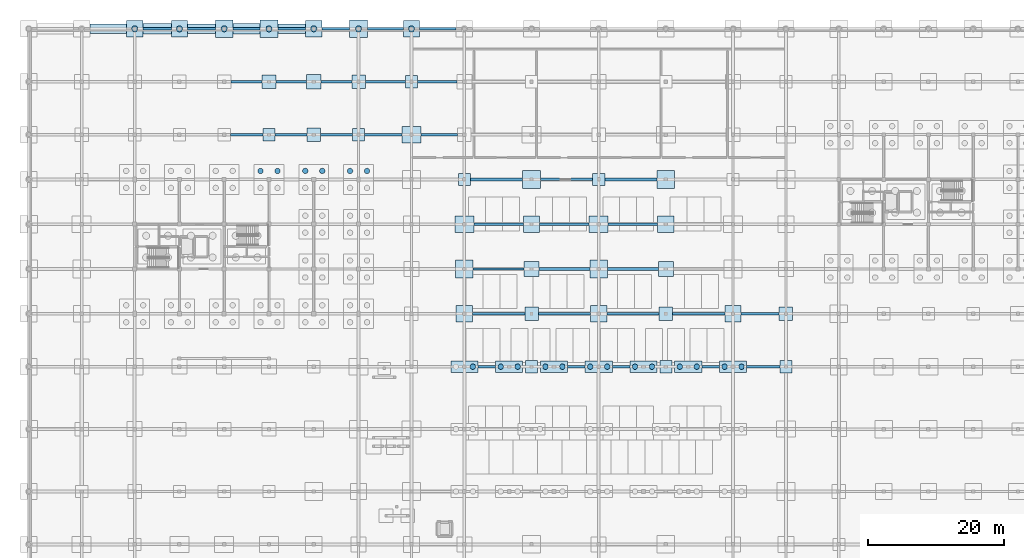
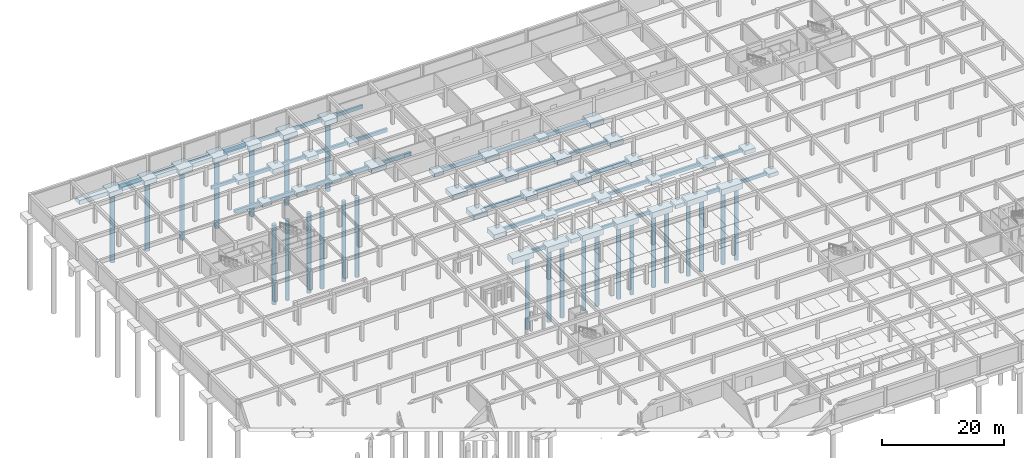
# One storey, part 6 of 37: 84 footings, 26 piles.
"""IFC4 building model written with IfcOpenShell, lengths in metres."""

from ifc_helpers import new_model, si_unit, direction, frame, origin, origin_2d, place, context, subcontext, project, spatial, rectangle, circle, extrude, material, material_profile, profile_set, type_object, element, save


model = new_model("IFC4")

# Units and contexts
model_context = context("Model", 3, precision=1e-05, world=origin(), true_north=direction((0.0, 1.0)))
body_context = subcontext(model_context, "Body", "Model", "MODEL_VIEW")
ifc_project = project(units=[si_unit("LENGTHUNIT", "METRE"), si_unit("AREAUNIT", "SQUARE_METRE"), si_unit("VOLUMEUNIT", "CUBIC_METRE"), si_unit("PLANEANGLEUNIT", "RADIAN"), si_unit("MASSUNIT", "GRAM", prefix="KILO")], contexts=[model_context])

# Site, building, storey
site_placement = place(None, origin())
site = spatial("IfcSite", under=ifc_project, at=site_placement, CompositionType="ELEMENT")
building_placement = place(site_placement, origin())
building = spatial("IfcBuilding", under=site, at=building_placement, Name="Kernevlak Ridge Housing Community", CompositionType="ELEMENT")
storey_placement = place(building_placement, frame((0.0, 0.0, -3.800048828125)))
storey = spatial("IfcBuildingStorey", under=building, at=storey_placement, Name="B1", CompositionType="ELEMENT", Elevation=-3.800048828125)

# Piles
ifc_material = material(Name="Concrete C35/45", Category="concrete")
ifc_material_profile_1 = material_profile(ifc_material, circle(Radius=0.39990234375, at=origin_2d()), Name="BORED PILE 800")
ifc_profile_set_1 = profile_set([ifc_material_profile_1], Name="Concrete C35/45")
pile_type_1 = type_object("IfcPileType", Name="BP-01", PredefinedType="BORED", material=ifc_profile_set_1)
for number, where, z_axis, x_axis, name in (
    (1, (34.14990234375, 97.050048828125, -1.599853515625), (0.0, 0.0, -1.0), (1.0, 0.0, 0.0), "Bored pile BP-01 PILE-0121"),
    (2, (36.64990234375, 97.050048828125, -1.599853515625), (0.0, 0.0, -1.0), (1.0, 0.0, 0.0), "Bored pile BP-01 PILE-0122"),
    (3, (40.75, 97.050048828125, -1.599853515625), (0.0, 0.0, -1.0), (1.0, 0.0, 0.0), "Bored pile BP-01 PILE-0147"),
    (4, (43.25, 97.050048828125, -1.599853515625), (0.0, 0.0, -1.0), (1.0, 0.0, 0.0), "Bored pile BP-01 PILE-0148"),
    (5, (47.35009765625, 97.050048828125, -1.599853515625), (0.0, 0.0, -1.0), (1.0, 0.0, 0.0), "Bored pile BP-01 PILE-0165"),
    (6, (49.85009765625, 97.050048828125, -1.599853515625), (0.0, 0.0, -1.0), (1.0, 0.0, 0.0), "Bored pile BP-01 PILE-0166"),
):
    element("IfcPile", number, at=place(storey_placement, frame(where, z_axis=z_axis, x_axis=x_axis)), inside=storey, type_object=pile_type_1, Name=name, PredefinedType="BORED", context=body_context, shape_type="SweptSolid", body=[
        extrude(circle(Radius=0.39990234375, at=origin_2d()), origin(), (0.0, 0.0, 1.0), 16.0),
    ])
for number, where, z_axis, x_axis, name in (
    (7, (65.449951171875, 68.199951171875, -1.5), (0.0, 0.0, -1.0), (1.0, 0.0, 0.0), "Bored pile BP-01 PILE-0176"),
    (8, (69.550048828125, 68.199951171875, -1.5), (0.0, 0.0, -1.0), (1.0, 0.0, 0.0), "Bored pile BP-01 PILE-0180"),
    (9, (72.050048828125, 68.199951171875, -1.5), (0.0, 0.0, -1.0), (1.0, 0.0, 0.0), "Bored pile BP-01 PILE-0181"),
    (10, (76.14990234375, 68.199951171875, -1.5), (0.0, 0.0, -1.0), (1.0, 0.0, 0.0), "Bored pile BP-01 PILE-0188"),
    (11, (78.64990234375, 68.199951171875, -1.5), (0.0, 0.0, -1.0), (1.0, 0.0, 0.0), "Bored pile BP-01 PILE-0189"),
    (12, (82.75, 68.199951171875, -1.5), (0.0, 0.0, -1.0), (1.0, 0.0, 0.0), "Bored pile BP-01 PILE-0195"),
    (13, (85.25, 68.199951171875, -1.5), (0.0, 0.0, -1.0), (1.0, 0.0, 0.0), "Bored pile BP-01 PILE-0196"),
    (14, (89.35009765625, 68.199951171875, -1.5), (0.0, 0.0, -1.0), (1.0, 0.0, 0.0), "Bored pile BP-01 PILE-0200"),
    (15, (91.85009765625, 68.199951171875, -1.5), (0.0, 0.0, -1.0), (1.0, 0.0, 0.0), "Bored pile BP-01 PILE-0201"),
    (16, (95.949951171875, 68.199951171875, -1.5), (0.0, 0.0, -1.0), (1.0, 0.0, 0.0), "Bored pile BP-01 PILE-0208"),
    (17, (98.449951171875, 68.199951171875, -1.5), (0.0, 0.0, -1.0), (1.0, 0.0, 0.0), "Bored pile BP-01 PILE-0209"),
    (18, (102.550048828125, 68.199951171875, -1.5), (0.0, 0.0, -1.0), (1.0, 0.0, 0.0), "Bored pile BP-01 PILE-0215"),
    (19, (105.050048828125, 68.199951171875, -1.5), (0.0, 0.0, -1.0), (1.0, 0.0, 0.0), "Bored pile BP-01 PILE-0216"),
):
    element("IfcPile", number, at=place(storey_placement, frame(where, z_axis=z_axis, x_axis=x_axis)), inside=storey, type_object=pile_type_1, Name=name, PredefinedType="BORED", context=body_context, shape_type="SweptSolid", body=[
        extrude(circle(Radius=0.39990234375, at=origin_2d()), origin(), (0.0, 0.0, 1.0), 14.5),
    ])
ifc_material_profile_2 = material_profile(ifc_material, circle(Radius=0.449951171875, at=origin_2d()), Name="BORED PILE 900")
ifc_profile_set_2 = profile_set([ifc_material_profile_2], Name="Concrete C35/45")
pile_type_2 = type_object("IfcPileType", Name="BP-02", PredefinedType="BORED", material=ifc_profile_set_2)
for number, where, z_axis, x_axis, name in (
    (20, (15.60009765625, 118.0, -1.349853515625), (0.0, 0.0, -1.0), (1.0, 0.0, 0.0), "Bored pile BP-02 PILE-0081"),
    (21, (22.199951171875, 118.0, -1.349853515625), (0.0, 0.0, -1.0), (1.0, 0.0, 0.0), "Bored pile BP-02 PILE-0095"),
    (22, (28.800048828125, 118.0, -1.39990234375), (0.0, 0.0, -1.0), (1.0, 0.0, 0.0), "Bored pile BP-02 PILE-0109"),
    (23, (35.39990234375, 118.0, -1.39990234375), (0.0, 0.0, -1.0), (1.0, 0.0, 0.0), "Bored pile BP-02 PILE-0123"),
    (24, (42.0, 118.0, -1.349853515625), (0.0, 0.0, -1.0), (1.0, 0.0, 0.0), "Bored pile BP-02 PILE-0149"),
    (25, (48.60009765625, 118.0, -1.39990234375), (0.0, 0.0, -1.0), (1.0, 0.0, 0.0), "Bored pile BP-02 PILE-0167"),
    (26, (56.39990234375, 118.0, -1.349853515625), (0.0, 0.0, -1.0), (1.0, 0.0, 0.0), "Bored pile BP-02 PILE-0169"),
):
    element("IfcPile", number, at=place(storey_placement, frame(where, z_axis=z_axis, x_axis=x_axis)), inside=storey, type_object=pile_type_2, Name=name, PredefinedType="BORED", context=body_context, shape_type="SweptSolid", body=[
        extrude(circle(Radius=0.449951171875, at=origin_2d()), origin(), (0.0, 0.0, 1.0), 14.0),
    ])

# Footings
ifc_material_profile_3 = material_profile(ifc_material, rectangle(XDim=0.39990234375, YDim=0.699951171875, at=origin_2d()), Name="RC 400x700")
ifc_profile_set_3 = profile_set([ifc_material_profile_3], Name="Concrete C35/45")
footing_type_1 = type_object("IfcFootingType", Name="FB-01", PredefinedType="FOOTING_BEAM", material=ifc_profile_set_3)
for number, where, z_axis, x_axis, name in (
    (27, (66.199951171875, 68.199951171875, -0.800048828125), (1.0, 0.0, 0.0), (0.0, 1.0, 0.0), "Ground tie beam FB-01 177"),
    (28, (99.199951171875, 68.199951171875, -0.800048828125), (1.0, 0.0, 0.0), (0.0, 1.0, 0.0), "Ground tie beam FB-01 180"),
):
    element("IfcFooting", number, at=place(storey_placement, frame(where, z_axis=z_axis, x_axis=x_axis)), inside=storey, type_object=footing_type_1, Name=name, PredefinedType="FOOTING_BEAM", context=body_context, shape_type="SweptSolid", body=[
        extrude(rectangle(XDim=0.39990234375, YDim=0.699951171875, at=origin_2d()), origin(), (0.0, 0.0, 1.0), 2.60009765625),
    ])
for number, where, z_axis, x_axis, name in (
    (29, (65.39990234375, 76.0, -0.800048828125), (1.0, 0.0, 0.0), (0.0, 1.0, 0.0), "Ground tie beam FB-01 198"),
    (30, (94.89990234375, 76.0, -0.800048828125), (1.0, 0.0, 0.0), (0.0, 1.0, 0.0), "Ground tie beam FB-01 201"),
):
    element("IfcFooting", number, at=place(storey_placement, frame(where, z_axis=z_axis, x_axis=x_axis)), inside=storey, type_object=footing_type_1, Name=name, PredefinedType="FOOTING_BEAM", context=body_context, shape_type="SweptSolid", body=[
        extrude(rectangle(XDim=0.39990234375, YDim=0.699951171875, at=origin_2d()), origin(), (0.0, 0.0, 1.0), 7.7001953125),
    ])
footing_1_placement = place(storey_placement, frame((85.300048828125, 82.60009765625, -0.800048828125), z_axis=(1.0, 0.0, 0.0), x_axis=(0.0, 1.0, 0.0)))
element("IfcFooting", 31, at=footing_1_placement, inside=storey, type_object=footing_type_1, Name="Ground tie beam FB-01 216", PredefinedType="FOOTING_BEAM", context=body_context, shape_type="SweptSolid", body=[
    extrude(rectangle(XDim=0.39990234375, YDim=0.699951171875, at=origin_2d()), origin(), (0.0, 0.0, 1.0), 7.5),
])
footing_2_placement = place(storey_placement, frame((75.300048828125, 89.199951171875, -0.800048828125), z_axis=(1.0, 0.0, 0.0), x_axis=(0.0, 1.0, 0.0)))
element("IfcFooting", 32, at=footing_2_placement, inside=storey, type_object=footing_type_1, Name="Ground tie beam FB-01 231", PredefinedType="FOOTING_BEAM", context=body_context, shape_type="SweptSolid", body=[
    extrude(rectangle(XDim=0.39990234375, YDim=0.699951171875, at=origin_2d()), origin(), (0.0, 0.0, 1.0), 7.300048828125),
])
footing_3_placement = place(storey_placement, frame((65.10009765625, 95.800048828125, -0.800048828125), z_axis=(1.0, 0.0, 0.0), x_axis=(0.0, 1.0, 0.0)))
element("IfcFooting", 33, at=footing_3_placement, inside=storey, type_object=footing_type_1, Name="Ground tie beam FB-01 246", PredefinedType="FOOTING_BEAM", context=body_context, shape_type="SweptSolid", body=[
    extrude(rectangle(XDim=0.39990234375, YDim=0.699951171875, at=origin_2d()), origin(), (0.0, 0.0, 1.0), 7.699951171875),
])
footing_4_placement = place(storey_placement, frame((36.300048828125, 102.39990234375, -0.800048828125), z_axis=(1.0, 0.0, 0.0), x_axis=(0.0, 1.0, 0.0)))
element("IfcFooting", 34, at=footing_4_placement, inside=storey, type_object=footing_type_1, Name="Ground tie beam FB-01 258", PredefinedType="FOOTING_BEAM", context=body_context, shape_type="SweptSolid", body=[
    extrude(rectangle(XDim=0.39990234375, YDim=0.699951171875, at=origin_2d()), origin(), (0.0, 0.0, 1.0), 4.699951171875),
])
footing_5_placement = place(storey_placement, frame((57.800048828125, 102.39990234375, -0.800048828125), z_axis=(1.0, 0.0, 0.0), x_axis=(0.0, 1.0, 0.0)))
element("IfcFooting", 35, at=footing_5_placement, inside=storey, type_object=footing_type_1, Name="Ground tie beam FB-01 261", PredefinedType="FOOTING_BEAM", context=body_context, shape_type="SweptSolid", body=[
    extrude(rectangle(XDim=0.39990234375, YDim=0.699951171875, at=origin_2d()), origin(), (0.0, 0.0, 1.0), 5.39990234375),
])
footing_6_placement = place(storey_placement, frame((36.39990234375, 110.199951171875, -0.800048828125), z_axis=(1.0, 0.0, 0.0), x_axis=(0.0, 1.0, 0.0)))
element("IfcFooting", 36, at=footing_6_placement, inside=storey, type_object=footing_type_1, Name="Ground tie beam FB-01 279", PredefinedType="FOOTING_BEAM", context=body_context, shape_type="SweptSolid", body=[
    extrude(rectangle(XDim=0.39990234375, YDim=0.699951171875, at=origin_2d()), origin(), (0.0, 0.0, 1.0), 4.5),
])
footing_7_placement = place(storey_placement, frame((57.300048828125, 110.199951171875, -0.800048828125), z_axis=(1.0, 0.0, 0.0), x_axis=(0.0, 1.0, 0.0)))
element("IfcFooting", 37, at=footing_7_placement, inside=storey, type_object=footing_type_1, Name="Ground tie beam FB-01 282", PredefinedType="FOOTING_BEAM", context=body_context, shape_type="SweptSolid", body=[
    extrude(rectangle(XDim=0.39990234375, YDim=0.699951171875, at=origin_2d()), origin(), (0.0, 0.0, 1.0), 5.800048828125),
])
footing_8_placement = place(storey_placement, frame((16.800048828125, 118.0, -0.800048828125), z_axis=(1.0, 0.0, 0.0), x_axis=(0.0, 1.0, 0.0)))
element("IfcFooting", 38, at=footing_8_placement, inside=storey, type_object=footing_type_1, Name="Ground tie beam FB-01 297", PredefinedType="FOOTING_BEAM", context=body_context, shape_type="SweptSolid", body=[
    extrude(rectangle(XDim=0.39990234375, YDim=0.699951171875, at=origin_2d()), origin(), (0.0, 0.0, 1.0), 4.199951171875),
])
footing_9_placement = place(storey_placement, frame((36.699951171875, 118.0, -0.800048828125), z_axis=(1.0, 0.0, 0.0), x_axis=(0.0, 1.0, 0.0)))
element("IfcFooting", 39, at=footing_9_placement, inside=storey, type_object=footing_type_1, Name="Ground tie beam FB-01 300", PredefinedType="FOOTING_BEAM", context=body_context, shape_type="SweptSolid", body=[
    extrude(rectangle(XDim=0.39990234375, YDim=0.699951171875, at=origin_2d()), origin(), (0.0, 0.0, 1.0), 4.10009765625),
])
footing_10_placement = place(storey_placement, frame((57.60009765625, 118.0, -0.800048828125), z_axis=(1.0, 0.0, 0.0), x_axis=(0.0, 1.0, 0.0)))
element("IfcFooting", 40, at=footing_10_placement, inside=storey, type_object=footing_type_1, Name="Ground tie beam FB-01 303", PredefinedType="FOOTING_BEAM", context=body_context, shape_type="SweptSolid", body=[
    extrude(rectangle(XDim=0.39990234375, YDim=0.699951171875, at=origin_2d()), origin(), (0.0, 0.0, 1.0), 5.39990234375),
])
ifc_material_profile_4 = material_profile(ifc_material, rectangle(XDim=0.35009765625, YDim=0.64990234375, at=origin_2d()), Name="RC 350x650")
ifc_profile_set_4 = profile_set([ifc_material_profile_4], Name="Concrete C35/45")
footing_type_2 = type_object("IfcFootingType", Name="FB-02", PredefinedType="FOOTING_BEAM", material=ifc_profile_set_4)
footing_11_placement = place(storey_placement, frame((79.39990234375, 68.199951171875, -0.77490234375), z_axis=(1.0, 0.0, 0.0), x_axis=(0.0, 1.0, 0.0)))
element("IfcFooting", 41, at=footing_11_placement, inside=storey, type_object=footing_type_2, Name="Ground tie beam FB-02 178", PredefinedType="FOOTING_BEAM", context=body_context, shape_type="SweptSolid", body=[
    extrude(rectangle(XDim=0.35009765625, YDim=0.64990234375, at=origin_2d()), origin(), (0.0, 0.0, 1.0), 2.60009765625),
])
footing_12_placement = place(storey_placement, frame((105.800048828125, 68.199951171875, -0.77490234375), z_axis=(1.0, 0.0, 0.0), x_axis=(0.0, 1.0, 0.0)))
element("IfcFooting", 42, at=footing_12_placement, inside=storey, type_object=footing_type_2, Name="Ground tie beam FB-02 181", PredefinedType="FOOTING_BEAM", context=body_context, shape_type="SweptSolid", body=[
    extrude(rectangle(XDim=0.35009765625, YDim=0.64990234375, at=origin_2d()), origin(), (0.0, 0.0, 1.0), 4.89990234375),
])
footing_13_placement = place(storey_placement, frame((75.10009765625, 76.0, -0.77490234375), z_axis=(1.0, 0.0, 0.0), x_axis=(0.0, 1.0, 0.0)))
element("IfcFooting", 43, at=footing_13_placement, inside=storey, type_object=footing_type_2, Name="Ground tie beam FB-02 199", PredefinedType="FOOTING_BEAM", context=body_context, shape_type="SweptSolid", body=[
    extrude(rectangle(XDim=0.35009765625, YDim=0.64990234375, at=origin_2d()), origin(), (0.0, 0.0, 1.0), 7.699951171875),
])
footing_14_placement = place(storey_placement, frame((105.0, 76.0, -0.77490234375), z_axis=(1.0, 0.0, 0.0), x_axis=(0.0, 1.0, 0.0)))
element("IfcFooting", 44, at=footing_14_placement, inside=storey, type_object=footing_type_2, Name="Ground tie beam FB-02 202", PredefinedType="FOOTING_BEAM", context=body_context, shape_type="SweptSolid", body=[
    extrude(rectangle(XDim=0.35009765625, YDim=0.64990234375, at=origin_2d()), origin(), (0.0, 0.0, 1.0), 5.60009765625),
])
footing_15_placement = place(storey_placement, frame((65.5, 82.60009765625, -0.77490234375), z_axis=(1.0, 0.0, 0.0), x_axis=(0.0, 1.0, 0.0)))
element("IfcFooting", 45, at=footing_15_placement, inside=storey, type_object=footing_type_2, Name="Ground tie beam FB-02 214", PredefinedType="FOOTING_BEAM", context=body_context, shape_type="SweptSolid", body=[
    extrude(rectangle(XDim=0.35009765625, YDim=0.64990234375, at=origin_2d()), origin(), (0.0, 0.0, 1.0), 7.5),
])
footing_16_placement = place(storey_placement, frame((85.39990234375, 89.199951171875, -0.77490234375), z_axis=(1.0, 0.0, 0.0), x_axis=(0.0, 1.0, 0.0)))
element("IfcFooting", 46, at=footing_16_placement, inside=storey, type_object=footing_type_2, Name="Ground tie beam FB-02 232", PredefinedType="FOOTING_BEAM", context=body_context, shape_type="SweptSolid", body=[
    extrude(rectangle(XDim=0.35009765625, YDim=0.64990234375, at=origin_2d()), origin(), (0.0, 0.0, 1.0), 7.300048828125),
])
footing_17_placement = place(storey_placement, frame((75.39990234375, 95.800048828125, -0.77490234375), z_axis=(1.0, 0.0, 0.0), x_axis=(0.0, 1.0, 0.0)))
element("IfcFooting", 47, at=footing_17_placement, inside=storey, type_object=footing_type_2, Name="Ground tie beam FB-02 247", PredefinedType="FOOTING_BEAM", context=body_context, shape_type="SweptSolid", body=[
    extrude(rectangle(XDim=0.35009765625, YDim=0.64990234375, at=origin_2d()), origin(), (0.0, 0.0, 1.0), 7.7001953125),
])
footing_18_placement = place(storey_placement, frame((43.0, 102.39990234375, -0.77490234375), z_axis=(1.0, 0.0, 0.0), x_axis=(0.0, 1.0, 0.0)))
element("IfcFooting", 48, at=footing_18_placement, inside=storey, type_object=footing_type_2, Name="Ground tie beam FB-02 259", PredefinedType="FOOTING_BEAM", context=body_context, shape_type="SweptSolid", body=[
    extrude(rectangle(XDim=0.35009765625, YDim=0.64990234375, at=origin_2d()), origin(), (0.0, 0.0, 1.0), 4.699951171875),
])
footing_19_placement = place(storey_placement, frame((43.10009765625, 110.199951171875, -0.77490234375), z_axis=(1.0, 0.0, 0.0), x_axis=(0.0, 1.0, 0.0)))
element("IfcFooting", 49, at=footing_19_placement, inside=storey, type_object=footing_type_2, Name="Ground tie beam FB-02 280", PredefinedType="FOOTING_BEAM", context=body_context, shape_type="SweptSolid", body=[
    extrude(rectangle(XDim=0.35009765625, YDim=0.64990234375, at=origin_2d()), origin(), (0.0, 0.0, 1.0), 4.5),
])
for number, where, z_axis, x_axis, name in (
    (50, (23.39990234375, 118.0, -0.77490234375), (1.0, 0.0, 0.0), (0.0, 1.0, 0.0), "Ground tie beam FB-02 298"),
    (51, (43.199951171875, 118.0, -0.77490234375), (1.0, 0.0, 0.0), (0.0, 1.0, 0.0), "Ground tie beam FB-02 301"),
):
    element("IfcFooting", number, at=place(storey_placement, frame(where, z_axis=z_axis, x_axis=x_axis)), inside=storey, type_object=footing_type_2, Name=name, PredefinedType="FOOTING_BEAM", context=body_context, shape_type="SweptSolid", body=[
        extrude(rectangle(XDim=0.35009765625, YDim=0.64990234375, at=origin_2d()), origin(), (0.0, 0.0, 1.0), 4.10009765625),
    ])
ifc_material_profile_5 = material_profile(ifc_material, rectangle(XDim=0.39990234375, YDim=0.64990234375, at=origin_2d()), Name="RC 400x650")
ifc_profile_set_5 = profile_set([ifc_material_profile_5], Name="Concrete C35/45")
footing_type_3 = type_object("IfcFootingType", Name="FB-03", PredefinedType="FOOTING_BEAM", material=ifc_profile_set_5)
footing_20_placement = place(storey_placement, frame((86.0, 68.199951171875, -0.77490234375), z_axis=(1.0, 0.0, 0.0), x_axis=(0.0, 1.0, 0.0)))
element("IfcFooting", 52, at=footing_20_placement, inside=storey, type_object=footing_type_3, Name="Ground tie beam FB-03 179", PredefinedType="FOOTING_BEAM", context=body_context, shape_type="SweptSolid", body=[
    extrude(rectangle(XDim=0.39990234375, YDim=0.64990234375, at=origin_2d()), origin(), (0.0, 0.0, 1.0), 2.60009765625),
])
footing_21_placement = place(storey_placement, frame((85.199951171875, 76.0, -0.77490234375), z_axis=(1.0, 0.0, 0.0), x_axis=(0.0, 1.0, 0.0)))
element("IfcFooting", 53, at=footing_21_placement, inside=storey, type_object=footing_type_3, Name="Ground tie beam FB-03 200", PredefinedType="FOOTING_BEAM", context=body_context, shape_type="SweptSolid", body=[
    extrude(rectangle(XDim=0.39990234375, YDim=0.64990234375, at=origin_2d()), origin(), (0.0, 0.0, 1.0), 7.699951171875),
])
footing_22_placement = place(storey_placement, frame((75.199951171875, 82.60009765625, -0.77490234375), z_axis=(1.0, 0.0, 0.0), x_axis=(0.0, 1.0, 0.0)))
element("IfcFooting", 54, at=footing_22_placement, inside=storey, type_object=footing_type_3, Name="Ground tie beam FB-03 215", PredefinedType="FOOTING_BEAM", context=body_context, shape_type="SweptSolid", body=[
    extrude(rectangle(XDim=0.39990234375, YDim=0.64990234375, at=origin_2d()), origin(), (0.0, 0.0, 1.0), 7.5),
])
footing_23_placement = place(storey_placement, frame((65.60009765625, 89.199951171875, -0.77490234375), z_axis=(1.0, 0.0, 0.0), x_axis=(0.0, 1.0, 0.0)))
element("IfcFooting", 55, at=footing_23_placement, inside=storey, type_object=footing_type_3, Name="Ground tie beam FB-03 230", PredefinedType="FOOTING_BEAM", context=body_context, shape_type="SweptSolid", body=[
    extrude(rectangle(XDim=0.39990234375, YDim=0.64990234375, at=origin_2d()), origin(), (0.0, 0.0, 1.0), 7.2998046875),
])
footing_24_placement = place(storey_placement, frame((84.89990234375, 95.800048828125, -0.77490234375), z_axis=(1.0, 0.0, 0.0), x_axis=(0.0, 1.0, 0.0)))
element("IfcFooting", 56, at=footing_24_placement, inside=storey, type_object=footing_type_3, Name="Ground tie beam FB-03 248", PredefinedType="FOOTING_BEAM", context=body_context, shape_type="SweptSolid", body=[
    extrude(rectangle(XDim=0.39990234375, YDim=0.64990234375, at=origin_2d()), origin(), (0.0, 0.0, 1.0), 7.7001953125),
])
footing_25_placement = place(storey_placement, frame((29.699951171875, 102.39990234375, -0.77490234375), z_axis=(1.0, 0.0, 0.0), x_axis=(0.0, 1.0, 0.0)))
element("IfcFooting", 57, at=footing_25_placement, inside=storey, type_object=footing_type_3, Name="Ground tie beam FB-03 257", PredefinedType="FOOTING_BEAM", context=body_context, shape_type="SweptSolid", body=[
    extrude(rectangle(XDim=0.39990234375, YDim=0.64990234375, at=origin_2d()), origin(), (0.0, 0.0, 1.0), 4.800048828125),
])
footing_26_placement = place(storey_placement, frame((49.5, 102.39990234375, -0.77490234375), z_axis=(1.0, 0.0, 0.0), x_axis=(0.0, 1.0, 0.0)))
element("IfcFooting", 58, at=footing_26_placement, inside=storey, type_object=footing_type_3, Name="Ground tie beam FB-03 260", PredefinedType="FOOTING_BEAM", context=body_context, shape_type="SweptSolid", body=[
    extrude(rectangle(XDim=0.39990234375, YDim=0.64990234375, at=origin_2d()), origin(), (0.0, 0.0, 1.0), 5.5),
])
footing_27_placement = place(storey_placement, frame((29.800048828125, 110.199951171875, -0.77490234375), z_axis=(1.0, 0.0, 0.0), x_axis=(0.0, 1.0, 0.0)))
element("IfcFooting", 59, at=footing_27_placement, inside=storey, type_object=footing_type_3, Name="Ground tie beam FB-03 278", PredefinedType="FOOTING_BEAM", context=body_context, shape_type="SweptSolid", body=[
    extrude(rectangle(XDim=0.39990234375, YDim=0.64990234375, at=origin_2d()), origin(), (0.0, 0.0, 1.0), 4.599853515625),
])
footing_28_placement = place(storey_placement, frame((49.60009765625, 110.199951171875, -0.77490234375), z_axis=(1.0, 0.0, 0.0), x_axis=(0.0, 1.0, 0.0)))
element("IfcFooting", 60, at=footing_28_placement, inside=storey, type_object=footing_type_3, Name="Ground tie beam FB-03 281", PredefinedType="FOOTING_BEAM", context=body_context, shape_type="SweptSolid", body=[
    extrude(rectangle(XDim=0.39990234375, YDim=0.64990234375, at=origin_2d()), origin(), (0.0, 0.0, 1.0), 5.89990234375),
])
footing_29_placement = place(storey_placement, frame((30.10009765625, 118.0, -0.77490234375), z_axis=(1.0, 0.0, 0.0), x_axis=(0.0, 1.0, 0.0)))
element("IfcFooting", 61, at=footing_29_placement, inside=storey, type_object=footing_type_3, Name="Ground tie beam FB-03 299", PredefinedType="FOOTING_BEAM", context=body_context, shape_type="SweptSolid", body=[
    extrude(rectangle(XDim=0.39990234375, YDim=0.64990234375, at=origin_2d()), origin(), (0.0, 0.0, 1.0), 4.0),
])
footing_30_placement = place(storey_placement, frame((49.89990234375, 118.0, -0.77490234375), z_axis=(1.0, 0.0, 0.0), x_axis=(0.0, 1.0, 0.0)))
element("IfcFooting", 62, at=footing_30_placement, inside=storey, type_object=footing_type_3, Name="Ground tie beam FB-03 302", PredefinedType="FOOTING_BEAM", context=body_context, shape_type="SweptSolid", body=[
    extrude(rectangle(XDim=0.39990234375, YDim=0.64990234375, at=origin_2d()), origin(), (0.0, 0.0, 1.0), 5.300048828125),
])
footing_type_4 = type_object("IfcFootingType", Name="FC-01", PredefinedType="PILE_CAP", material=ifc_material)
for number, where, z_axis, x_axis, name in (
    (63, (15.60009765625, 118.0, -1.449951171875), (0.0, 0.0, 1.0), (1.0, 0.0, 0.0), "Footing FC-01 FTG-CAP-059"),
    (64, (22.199951171875, 118.0, -1.449951171875), (0.0, 0.0, 1.0), (1.0, 0.0, 0.0), "Footing FC-01 FTG-CAP-072"),
    (65, (42.0, 118.0, -1.449951171875), (0.0, 0.0, 1.0), (1.0, 0.0, 0.0), "Footing FC-01 FTG-CAP-115"),
    (66, (56.39990234375, 118.0, -1.449951171875), (0.0, 0.0, 1.0), (1.0, 0.0, 0.0), "Footing FC-01 FTG-CAP-154"),
):
    element("IfcFooting", number, at=place(storey_placement, frame(where, z_axis=z_axis, x_axis=x_axis)), inside=storey, type_object=footing_type_4, Name=name, PredefinedType="PILE_CAP", context=body_context, shape_type="SweptSolid", body=[
        extrude(rectangle(XDim=2.39990234375, YDim=2.39990234375, at=origin_2d()), origin(), (0.0, 0.0, 1.0), 1.0),
    ])
footing_type_5 = type_object("IfcFootingType", Name="FC-07", PredefinedType="PILE_CAP", material=ifc_material)
for number, where, z_axis, x_axis, name in (
    (67, (64.199951171875, 68.199951171875, -1.599853515625), (0.0, 0.0, 1.0), (1.0, 0.0, 0.0), "Footing FC-07 FTG-CAP-166"),
    (68, (70.800048828125, 68.199951171875, -1.599853515625), (0.0, 0.0, 1.0), (1.0, 0.0, 0.0), "Footing FC-07 FTG-CAP-176"),
    (69, (77.39990234375, 68.199951171875, -1.599853515625), (0.0, 0.0, 1.0), (1.0, 0.0, 0.0), "Footing FC-07 FTG-CAP-195"),
    (70, (84.0, 68.199951171875, -1.599853515625), (0.0, 0.0, 1.0), (1.0, 0.0, 0.0), "Footing FC-07 FTG-CAP-207"),
    (71, (90.60009765625, 68.199951171875, -1.599853515625), (0.0, 0.0, 1.0), (1.0, 0.0, 0.0), "Footing FC-07 FTG-CAP-217"),
    (72, (97.199951171875, 68.199951171875, -1.599853515625), (0.0, 0.0, 1.0), (1.0, 0.0, 0.0), "Footing FC-07 FTG-CAP-236"),
    (73, (103.800048828125, 68.199951171875, -1.599853515625), (0.0, 0.0, 1.0), (1.0, 0.0, 0.0), "Footing FC-07 FTG-CAP-248"),
):
    element("IfcFooting", number, at=place(storey_placement, frame(where, z_axis=z_axis, x_axis=x_axis)), inside=storey, type_object=footing_type_5, Name=name, PredefinedType="PILE_CAP", context=body_context, shape_type="SweptSolid", body=[
        extrude(rectangle(XDim=4.0, YDim=1.699951171875, at=origin_2d()), origin(), (0.0, 0.0, 1.0), 1.14990234375),
    ])
footing_type_6 = type_object("IfcFootingType", Name="FC-08", PredefinedType="PILE_CAP", material=ifc_material)
for number, where, z_axis, x_axis, name in (
    (74, (28.800048828125, 118.0, -1.5), (0.0, 0.0, 1.0), (1.0, 0.0, 0.0), "Footing FC-08 FTG-CAP-085"),
    (75, (35.39990234375, 118.0, -1.5), (0.0, 0.0, 1.0), (1.0, 0.0, 0.0), "Footing FC-08 FTG-CAP-098"),
    (76, (48.60009765625, 118.0, -1.5), (0.0, 0.0, 1.0), (1.0, 0.0, 0.0), "Footing FC-08 FTG-CAP-132"),
):
    element("IfcFooting", number, at=place(storey_placement, frame(where, z_axis=z_axis, x_axis=x_axis)), inside=storey, type_object=footing_type_6, Name=name, PredefinedType="PILE_CAP", context=body_context, shape_type="SweptSolid", body=[
        extrude(rectangle(XDim=2.60009765625, YDim=2.60009765625, at=origin_2d()), origin(), (0.0, 0.0, 1.0), 1.050048828125),
    ])
footing_type_7 = type_object("IfcFootingType", Name="PF-01", PredefinedType="PAD_FOOTING", material=ifc_material)
for number, where, z_axis, x_axis, name in (
    (77, (35.39990234375, 102.39990234375, -1.199951171875), (0.0, 0.0, 1.0), (1.0, 0.0, 0.0), "Footing PF-01 FTG-CAP-096"),
    (78, (48.60009765625, 102.39990234375, -1.199951171875), (0.0, 0.0, 1.0), (1.0, 0.0, 0.0), "Footing PF-01 FTG-CAP-130"),
    (79, (56.39990234375, 110.199951171875, -1.199951171875), (0.0, 0.0, 1.0), (1.0, 0.0, 0.0), "Footing PF-01 FTG-CAP-153"),
    (80, (64.199951171875, 95.800048828125, -1.199951171875), (0.0, 0.0, 1.0), (1.0, 0.0, 0.0), "Footing PF-01 FTG-CAP-170"),
    (81, (74.10009765625, 68.199951171875, -1.199951171875), (0.0, 0.0, 1.0), (1.0, 0.0, 0.0), "Footing PF-01 FTG-CAP-186"),
    (82, (84.0, 95.800048828125, -1.199951171875), (0.0, 0.0, 1.0), (1.0, 0.0, 0.0), "Footing PF-01 FTG-CAP-211"),
    (83, (93.89990234375, 68.199951171875, -1.199951171875), (0.0, 0.0, 1.0), (1.0, 0.0, 0.0), "Footing PF-01 FTG-CAP-227"),
    (84, (111.60009765625, 68.199951171875, -1.199951171875), (0.0, 0.0, 1.0), (1.0, 0.0, 0.0), "Footing PF-01 FTG-CAP-266"),
):
    element("IfcFooting", number, at=place(storey_placement, frame(where, z_axis=z_axis, x_axis=x_axis)), inside=storey, type_object=footing_type_7, Name=name, PredefinedType="PAD_FOOTING", context=body_context, shape_type="SweptSolid", body=[
        extrude(rectangle(XDim=1.800048828125, YDim=1.800048828125, at=origin_2d()), origin(), (0.0, 0.0, 1.0), 0.75),
    ])
footing_type_8 = type_object("IfcFootingType", Name="PF-02", PredefinedType="PAD_FOOTING", material=ifc_material)
for number, where, z_axis, x_axis, name in (
    (85, (35.39990234375, 110.199951171875, -1.25), (0.0, 0.0, 1.0), (1.0, 0.0, 0.0), "Footing PF-02 FTG-CAP-097"),
    (86, (42.0, 102.39990234375, -1.25), (0.0, 0.0, 1.0), (1.0, 0.0, 0.0), "Footing PF-02 FTG-CAP-113"),
    (87, (48.60009765625, 110.199951171875, -1.25), (0.0, 0.0, 1.0), (1.0, 0.0, 0.0), "Footing PF-02 FTG-CAP-131"),
    (88, (74.10009765625, 76.0, -1.25), (0.0, 0.0, 1.0), (1.0, 0.0, 0.0), "Footing PF-02 FTG-CAP-187"),
    (89, (93.89990234375, 76.0, -1.25), (0.0, 0.0, 1.0), (1.0, 0.0, 0.0), "Footing PF-02 FTG-CAP-228"),
    (90, (111.60009765625, 76.0, -1.25), (0.0, 0.0, 1.0), (1.0, 0.0, 0.0), "Footing PF-02 FTG-CAP-267"),
):
    element("IfcFooting", number, at=place(storey_placement, frame(where, z_axis=z_axis, x_axis=x_axis)), inside=storey, type_object=footing_type_8, Name=name, PredefinedType="PAD_FOOTING", context=body_context, shape_type="SweptSolid", body=[
        extrude(rectangle(XDim=2.0, YDim=2.0, at=origin_2d()), origin(), (0.0, 0.0, 1.0), 0.800048828125),
    ])
footing_type_9 = type_object("IfcFootingType", Name="PF-03", PredefinedType="PAD_FOOTING", material=ifc_material)
for number, where, z_axis, x_axis, name in (
    (91, (42.0, 110.199951171875, -1.300048828125), (0.0, 0.0, 1.0), (1.0, 0.0, 0.0), "Footing PF-03 FTG-CAP-114"),
    (92, (74.10009765625, 82.60009765625, -1.300048828125), (0.0, 0.0, 1.0), (1.0, 0.0, 0.0), "Footing PF-03 FTG-CAP-188"),
    (93, (93.89990234375, 82.60009765625, -1.300048828125), (0.0, 0.0, 1.0), (1.0, 0.0, 0.0), "Footing PF-03 FTG-CAP-229"),
):
    element("IfcFooting", number, at=place(storey_placement, frame(where, z_axis=z_axis, x_axis=x_axis)), inside=storey, type_object=footing_type_9, Name=name, PredefinedType="PAD_FOOTING", context=body_context, shape_type="SweptSolid", body=[
        extrude(rectangle(XDim=2.199951171875, YDim=2.199951171875, at=origin_2d()), origin(), (0.0, 0.0, 1.0), 0.85009765625),
    ])
footing_type_10 = type_object("IfcFootingType", Name="PF-04", PredefinedType="PAD_FOOTING", material=ifc_material)
for number, where, z_axis, x_axis, name in (
    (94, (64.199951171875, 76.0, -1.349853515625), (0.0, 0.0, 1.0), (1.0, 0.0, 0.0), "Footing PF-04 FTG-CAP-167"),
    (95, (74.10009765625, 89.199951171875, -1.349853515625), (0.0, 0.0, 1.0), (1.0, 0.0, 0.0), "Footing PF-04 FTG-CAP-189"),
    (96, (84.0, 76.0, -1.349853515625), (0.0, 0.0, 1.0), (1.0, 0.0, 0.0), "Footing PF-04 FTG-CAP-208"),
    (97, (93.89990234375, 89.199951171875, -1.349853515625), (0.0, 0.0, 1.0), (1.0, 0.0, 0.0), "Footing PF-04 FTG-CAP-230"),
    (98, (103.800048828125, 76.0, -1.349853515625), (0.0, 0.0, 1.0), (1.0, 0.0, 0.0), "Footing PF-04 FTG-CAP-249"),
):
    element("IfcFooting", number, at=place(storey_placement, frame(where, z_axis=z_axis, x_axis=x_axis)), inside=storey, type_object=footing_type_10, Name=name, PredefinedType="PAD_FOOTING", context=body_context, shape_type="SweptSolid", body=[
        extrude(rectangle(XDim=2.39990234375, YDim=2.39990234375, at=origin_2d()), origin(), (0.0, 0.0, 1.0), 0.89990234375),
    ])
footing_type_11 = type_object("IfcFootingType", Name="PF-05", PredefinedType="PAD_FOOTING", material=ifc_material)
for number, where, z_axis, x_axis, name in (
    (99, (64.199951171875, 82.60009765625, -1.39990234375), (0.0, 0.0, 1.0), (1.0, 0.0, 0.0), "Footing PF-05 FTG-CAP-168"),
    (100, (74.10009765625, 95.800048828125, -1.39990234375), (0.0, 0.0, 1.0), (1.0, 0.0, 0.0), "Footing PF-05 FTG-CAP-190"),
    (101, (84.0, 82.60009765625, -1.39990234375), (0.0, 0.0, 1.0), (1.0, 0.0, 0.0), "Footing PF-05 FTG-CAP-209"),
    (102, (93.89990234375, 95.800048828125, -1.39990234375), (0.0, 0.0, 1.0), (1.0, 0.0, 0.0), "Footing PF-05 FTG-CAP-231"),
):
    element("IfcFooting", number, at=place(storey_placement, frame(where, z_axis=z_axis, x_axis=x_axis)), inside=storey, type_object=footing_type_11, Name=name, PredefinedType="PAD_FOOTING", context=body_context, shape_type="SweptSolid", body=[
        extrude(rectangle(XDim=2.60009765625, YDim=2.60009765625, at=origin_2d()), origin(), (0.0, 0.0, 1.0), 0.949951171875),
    ])
footing_type_12 = type_object("IfcFootingType", Name="PF-06", PredefinedType="PAD_FOOTING", material=ifc_material)
for number, where, z_axis, x_axis, name in (
    (103, (56.39990234375, 102.39990234375, -1.349853515625), (0.0, 0.0, 1.0), (1.0, 0.0, 0.0), "Footing PF-06 FTG-CAP-152"),
    (104, (64.199951171875, 89.199951171875, -1.349853515625), (0.0, 0.0, 1.0), (1.0, 0.0, 0.0), "Footing PF-06 FTG-CAP-169"),
    (105, (84.0, 89.199951171875, -1.349853515625), (0.0, 0.0, 1.0), (1.0, 0.0, 0.0), "Footing PF-06 FTG-CAP-210"),
):
    element("IfcFooting", number, at=place(storey_placement, frame(where, z_axis=z_axis, x_axis=x_axis)), inside=storey, type_object=footing_type_12, Name=name, PredefinedType="PAD_FOOTING", context=body_context, shape_type="SweptSolid", body=[
        extrude(rectangle(XDim=2.800048828125, YDim=2.39990234375, at=origin_2d()), origin(), (0.0, 0.0, 1.0), 0.89990234375),
    ])
footing_type_13 = type_object("IfcFootingType", Name="WF-02", PredefinedType="STRIP_FOOTING", material=ifc_material)
footing_31_placement = place(storey_placement, frame((18.89990234375, 118.0, -1.300048828125), z_axis=(0.0, 0.0, 1.0), x_axis=(1.0, 0.0, 0.0)))
element("IfcFooting", 106, at=footing_31_placement, inside=storey, type_object=footing_type_13, Name="Wall strip footing WF-02 9", PredefinedType="STRIP_FOOTING", context=body_context, shape_type="SweptSolid", body=[
    extrude(rectangle(XDim=4.199951171875, YDim=1.5, at=origin_2d()), origin(), (0.0, 0.0, 1.0), 0.85009765625),
])
footing_32_placement = place(storey_placement, frame((32.10009765625, 118.0, -1.300048828125), z_axis=(0.0, 0.0, 1.0), x_axis=(1.0, 0.0, 0.0)))
element("IfcFooting", 107, at=footing_32_placement, inside=storey, type_object=footing_type_13, Name="Wall strip footing WF-02 11", PredefinedType="STRIP_FOOTING", context=body_context, shape_type="SweptSolid", body=[
    extrude(rectangle(XDim=4.0, YDim=1.5, at=origin_2d()), origin(), (0.0, 0.0, 1.0), 0.85009765625),
])
footing_type_14 = type_object("IfcFootingType", Name="WF-03", PredefinedType="STRIP_FOOTING", material=ifc_material)
footing_33_placement = place(storey_placement, frame((11.699951171875, 118.0, -1.300048828125), z_axis=(0.0, 0.0, 1.0), x_axis=(1.0, 0.0, 0.0)))
element("IfcFooting", 108, at=footing_33_placement, inside=storey, type_object=footing_type_14, Name="Wall strip footing WF-03 8", PredefinedType="STRIP_FOOTING", context=body_context, shape_type="SweptSolid", body=[
    extrude(rectangle(XDim=5.39990234375, YDim=1.35009765625, at=origin_2d()), origin(), (0.0, 0.0, 1.0), 0.85009765625),
])
for number, where, z_axis, x_axis, name in (
    (109, (25.449951171875, 118.0, -1.300048828125), (0.0, 0.0, 1.0), (1.0, 0.0, 0.0), "Wall strip footing WF-03 10"),
    (110, (38.75, 118.0, -1.300048828125), (0.0, 0.0, 1.0), (1.0, 0.0, 0.0), "Wall strip footing WF-03 12"),
):
    element("IfcFooting", number, at=place(storey_placement, frame(where, z_axis=z_axis, x_axis=x_axis)), inside=storey, type_object=footing_type_14, Name=name, PredefinedType="STRIP_FOOTING", context=body_context, shape_type="SweptSolid", body=[
        extrude(rectangle(XDim=4.10009765625, YDim=1.35009765625, at=origin_2d()), origin(), (0.0, 0.0, 1.0), 0.85009765625),
    ])

save(model, "model.ifc")
